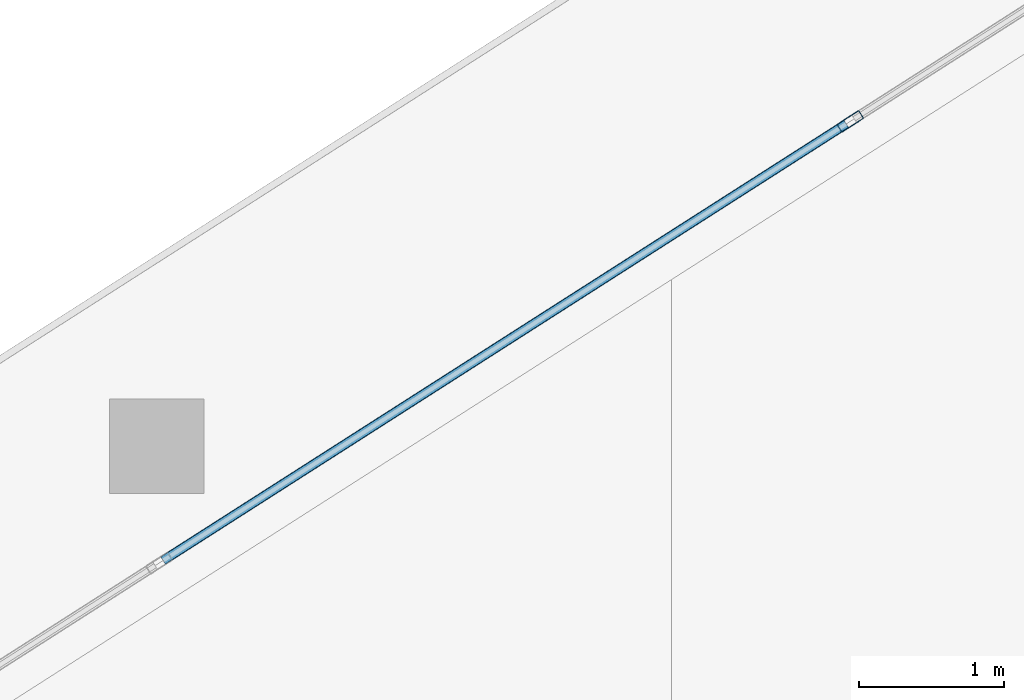
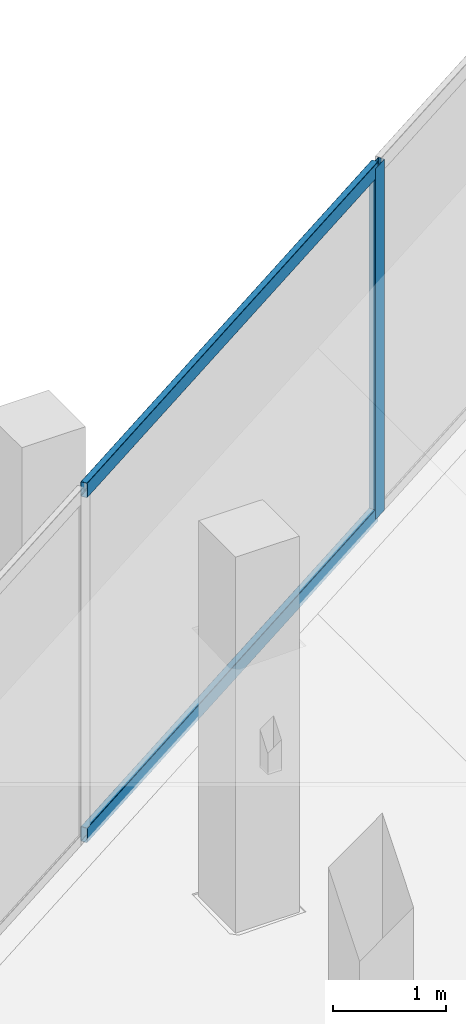
# One storey, part 18 of 36: 3 members, 1 element without a shape of its own.
"""IFC4 building model written with IfcOpenShell, lengths in metres."""

from ifc_helpers import new_model, si_unit, direction, frame, origin, origin_2d, place, context, subcontext, project, spatial, hollow_rectangle, extrude, material, layer, layer_set, material_profile, profile_set, type_object, element, aggregate, save


model = new_model("IFC4")

# Units and contexts
model_context = context("Model", 3, precision=1e-05, world=origin(), true_north=direction((0.0, 1.0)))
body_context = subcontext(model_context, "Body", "Model", "MODEL_VIEW")
ifc_project = project(units=[si_unit("LENGTHUNIT", "METRE"), si_unit("AREAUNIT", "SQUARE_METRE"), si_unit("VOLUMEUNIT", "CUBIC_METRE"), si_unit("PLANEANGLEUNIT", "RADIAN"), si_unit("MASSUNIT", "GRAM", prefix="KILO")], contexts=[model_context])

# Site, building, storey
site_placement = place(None, origin())
site = spatial("IfcSite", under=ifc_project, at=site_placement, CompositionType="ELEMENT")
building_placement = place(site_placement, origin())
building = spatial("IfcBuilding", under=site, at=building_placement, Name="Qorvath Tower", CompositionType="ELEMENT")
storey_placement = place(building_placement, frame((0.0, 0.0, 192.89990234375)))
storey = spatial("IfcBuildingStorey", under=building, at=storey_placement, Name="L44", CompositionType="ELEMENT", Elevation=192.89990234375)

# Curtain wall, members
ifc_material_1 = material(Name="Anodised aluminium and triple low-E glass", Category="aluminium")
ifc_layer = layer(ifc_material_1, 0.179931640625)
ifc_layer_set = layer_set([ifc_layer], Name="CW-SYS-3")
curtain_wall_type = type_object("IfcCurtainWallType", Name="CW-SYS-3", PredefinedType="NOTDEFINED", material=ifc_layer_set)
curtain_wall_placement = place(storey_placement, origin())
curtain_wall = element("IfcCurtainWall", 1, at=curtain_wall_placement, inside=storey, type_object=curtain_wall_type, Name="Curtain Wall CW-3 CW-T-L44-16.1", PredefinedType="NOTDEFINED")
ifc_material_2 = material(Name="Anodised aluminium 6063-T6", Category="aluminium")
ifc_material_profile_1 = material_profile(ifc_material_2, hollow_rectangle(XDim=0.06494140625, YDim=0.179931640625, WallThickness=0.00341796875, InnerFilletRadius=0.00341796875, OuterFilletRadius=0.007080078125, at=origin_2d()), Name="CWM 180x65")
ifc_profile_set_1 = profile_set([ifc_material_profile_1], Name="Anodised aluminium 6063-T6")
member_type_1 = type_object("IfcMemberType", Name="CWM-180", PredefinedType="MULLION", material=ifc_profile_set_1)
member_1_placement = place(storey_placement, frame((-26.247802734375, 21.696044921875, 0.0), z_axis=(0.0, 0.0, 1.0), x_axis=(0.538533623725, -0.842604020948, 0.0)))
member_1 = element("IfcMember", 2, at=member_1_placement, type_object=member_type_1, Name="CW-3 mullion 3", PredefinedType="MULLION", context=body_context, shape_type="SweptSolid", body=[
    extrude(hollow_rectangle(XDim=0.06494140625, YDim=0.179931640625, WallThickness=0.00341796875, InnerFilletRadius=0.00341796875, OuterFilletRadius=0.007080078125, at=origin_2d()), origin(), (0.0, 0.0, 1.0), 3.780029296875),
])
ifc_material_3 = material(Name="Anodised aluminium 6063-T6", Category="aluminium")
ifc_material_profile_2 = material_profile(ifc_material_3, hollow_rectangle(XDim=0.06494140625, YDim=0.159912109375, WallThickness=0.00341796875, InnerFilletRadius=0.00341796875, OuterFilletRadius=0.007080078125, at=origin_2d()), Name="CWT 160x65")
ifc_profile_set_2 = profile_set([ifc_material_profile_2], Name="Anodised aluminium 6063-T6")
member_type_2 = type_object("IfcMemberType", Name="CWT-160", PredefinedType="USERDEFINED", material=ifc_profile_set_2)
member_2_placement = place(storey_placement, frame((-26.275146484375, 21.6787109375, 0.032470703125), z_axis=(-0.842606844645, -0.538529205667, 0.0), x_axis=(0.538529205667, -0.842606844645, 0.0)))
member_2 = element("IfcMember", 3, at=member_2_placement, type_object=member_type_2, Name="CW-3 transom 3.1", ObjectType="TRANSOM", PredefinedType="USERDEFINED", context=body_context, shape_type="SweptSolid", body=[
    extrude(hollow_rectangle(XDim=0.06494140625, YDim=0.159912109375, WallThickness=0.00341796875, InnerFilletRadius=0.00341796875, OuterFilletRadius=0.007080078125, at=origin_2d()), origin(), (0.0, 0.0, 1.0), 5.5751953125),
])
member_3_placement = place(storey_placement, frame((-26.275146484375, 21.6787109375, 3.74755859375), z_axis=(-0.842606844645, -0.538529205667, 0.0), x_axis=(0.538529205667, -0.842606844645, 0.0)))
member_3 = element("IfcMember", 4, at=member_3_placement, type_object=member_type_2, Name="CW-3 transom 3.2", ObjectType="TRANSOM", PredefinedType="USERDEFINED", context=body_context, shape_type="SweptSolid", body=[
    extrude(hollow_rectangle(XDim=0.06494140625, YDim=0.159912109375, WallThickness=0.00341796875, InnerFilletRadius=0.00341796875, OuterFilletRadius=0.007080078125, at=origin_2d()), origin(), (0.0, 0.0, 1.0), 5.5751953125),
])
aggregate(curtain_wall, [member_1, member_2, member_3])

save(model, "model.ifc")
